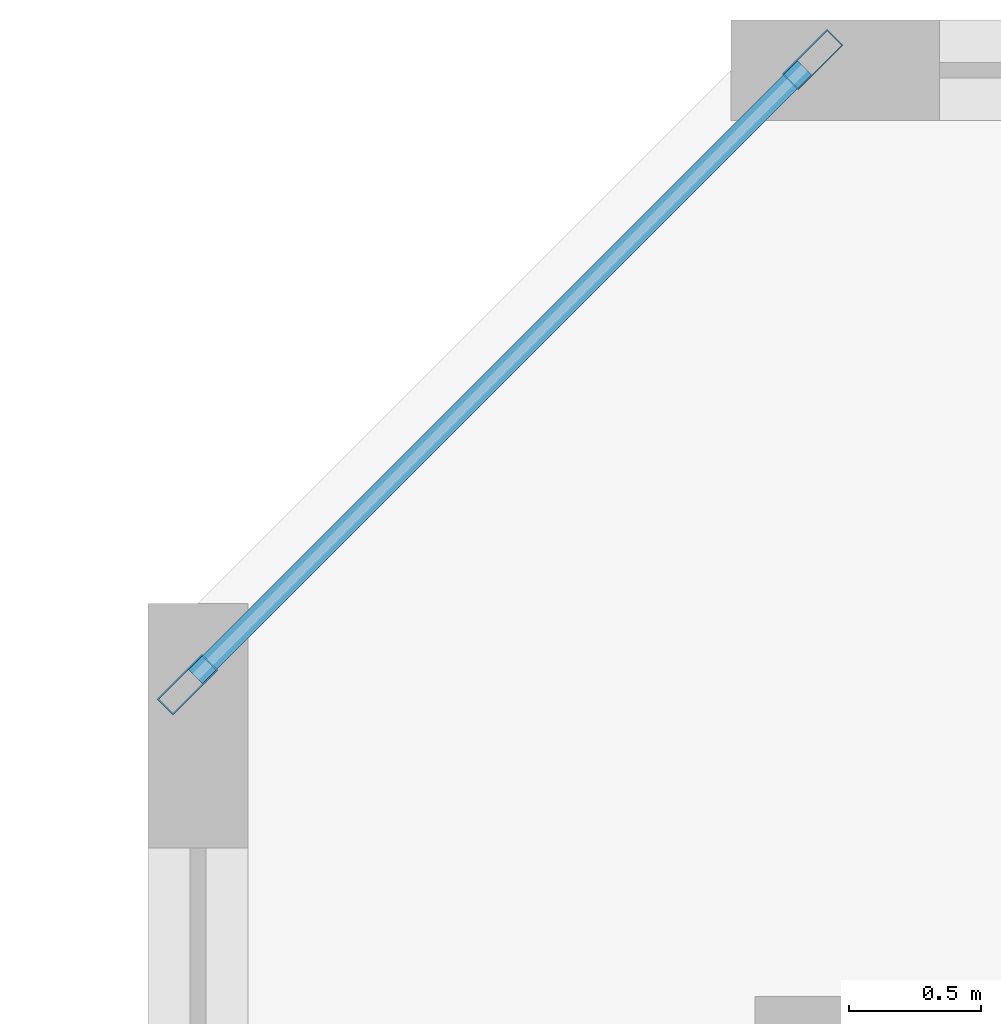
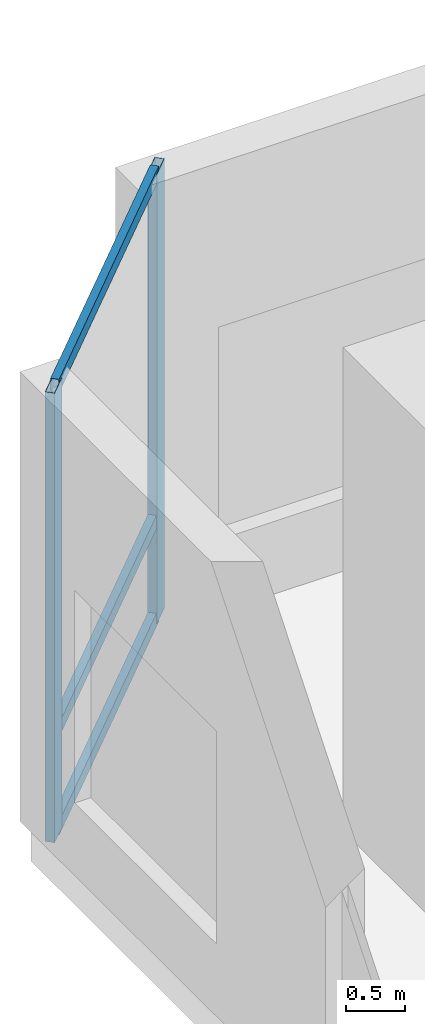
# One storey, part 4 of 19: 5 members, 1 element without a shape of its own.
"""IFC4 building model written with IfcOpenShell, lengths in metres."""

from ifc_helpers import new_model, si_unit, direction, frame, origin, origin_2d, place, context, subcontext, project, spatial, hollow_rectangle, extrude, material, layer, layer_set, material_profile, profile_set, type_object, element, aggregate, save


model = new_model("IFC4")

# Units and contexts
model_context = context("Model", 3, precision=1e-05, world=origin(), true_north=direction((0.0, 1.0)))
body_context = subcontext(model_context, "Body", "Model", "MODEL_VIEW")
ifc_project = project(units=[si_unit("LENGTHUNIT", "METRE"), si_unit("AREAUNIT", "SQUARE_METRE"), si_unit("VOLUMEUNIT", "CUBIC_METRE"), si_unit("PLANEANGLEUNIT", "RADIAN"), si_unit("MASSUNIT", "GRAM", prefix="KILO")], contexts=[model_context])

# Site, building, storey
site_placement = place(None, origin())
site = spatial("IfcSite", under=ifc_project, at=site_placement, CompositionType="ELEMENT")
building_placement = place(site_placement, origin())
building = spatial("IfcBuilding", under=site, at=building_placement, Name="Kestravale Grand Hotel", CompositionType="ELEMENT")
storey_placement = place(building_placement, frame((0.0, 0.0, 5.39990234375)))
storey = spatial("IfcBuildingStorey", under=building, at=storey_placement, Name="L01", CompositionType="ELEMENT", Elevation=5.39990234375)

# Curtain wall, members
ifc_material_1 = material(Name="Thermally broken champagne-bronze aluminium and low-E glazing", Category="aluminium")
ifc_layer = layer(ifc_material_1, 0.239990234375)
ifc_layer_set = layer_set([ifc_layer], Name="CW-POD")
curtain_wall_type = type_object("IfcCurtainWallType", Name="CW-POD", PredefinedType="NOTDEFINED", material=ifc_layer_set)
curtain_wall_placement = place(storey_placement, origin())
curtain_wall = element("IfcCurtainWall", 1, at=curtain_wall_placement, inside=storey, type_object=curtain_wall_type, Name="L01 unitised curtain wall 6", PredefinedType="NOTDEFINED")
ifc_material_2 = material(Name="Aluminium 6063-T6 anodised", Category="aluminium")
ifc_material_profile_1 = material_profile(ifc_material_2, hollow_rectangle(XDim=0.0849609375, YDim=0.239990234375, WallThickness=0.00439453125, at=origin_2d()))
ifc_profile_set_1 = profile_set([ifc_material_profile_1], Name="Aluminium 6063-T6 anodised")
member_type_1 = type_object("IfcMemberType", Name="CW-MUL-240", PredefinedType="MULLION", material=ifc_profile_set_1)
member_1_placement = place(storey_placement, frame((-0.4814453125, 51.44970703125, 0.0), z_axis=(0.0, 0.0, 1.0), x_axis=(0.707106781187, -0.707106781187, 0.0)))
member_1 = element("IfcMember", 2, at=member_1_placement, type_object=member_type_1, Name="CW-POD mullion 1", PredefinedType="MULLION", context=body_context, shape_type="SweptSolid", body=[
    extrude(hollow_rectangle(XDim=0.0849609375, YDim=0.239990234375, WallThickness=0.00439453125, at=origin_2d()), origin(), (0.0, 0.0, 1.0), 4.650146484375),
])
member_2_placement = place(storey_placement, frame((-2.849853515625, 49.08154296875, 0.0), z_axis=(0.0, 0.0, 1.0), x_axis=(0.707106781187, -0.707106781187, 0.0)))
member_2 = element("IfcMember", 3, at=member_2_placement, type_object=member_type_1, Name="CW-POD mullion 2", PredefinedType="MULLION", context=body_context, shape_type="SweptSolid", body=[
    extrude(hollow_rectangle(XDim=0.0849609375, YDim=0.239990234375, WallThickness=0.00439453125, at=origin_2d()), origin(), (0.0, 0.0, 1.0), 4.650146484375),
])
ifc_material_3 = material(Name="Aluminium 6063-T6 anodised", Category="aluminium")
ifc_material_profile_2 = material_profile(ifc_material_3, hollow_rectangle(XDim=0.074951171875, YDim=0.139892578125, WallThickness=0.00341796875, at=origin_2d()))
ifc_profile_set_2 = profile_set([ifc_material_profile_2], Name="Aluminium 6063-T6 anodised")
member_type_2 = type_object("IfcMemberType", Name="CW-TRN-140", PredefinedType="USERDEFINED", material=ifc_profile_set_2)
member_3_placement = place(storey_placement, frame((-0.51171875, 51.419677734375, 0.03759765625), z_axis=(-0.707069380992, -0.707144179403, 0.0), x_axis=(0.707144179403, -0.707069380992, 0.0)))
member_3 = element("IfcMember", 4, at=member_3_placement, type_object=member_type_2, Name="CW-POD transom 1.1", ObjectType="TRANSOM", PredefinedType="USERDEFINED", context=body_context, shape_type="SweptSolid", body=[
    extrude(hollow_rectangle(XDim=0.074951171875, YDim=0.139892578125, WallThickness=0.00341796875, at=origin_2d()), origin(), (0.0, 0.0, 1.0), 3.263916015625),
])
member_4_placement = place(storey_placement, frame((-0.51171875, 51.419677734375, 1.050048828125), z_axis=(-0.707069380992, -0.707144179403, 0.0), x_axis=(0.707144179403, -0.707069380992, 0.0)))
member_4 = element("IfcMember", 5, at=member_4_placement, type_object=member_type_2, Name="CW-POD transom 1.2", ObjectType="TRANSOM", PredefinedType="USERDEFINED", context=body_context, shape_type="SweptSolid", body=[
    extrude(hollow_rectangle(XDim=0.074951171875, YDim=0.139892578125, WallThickness=0.00341796875, at=origin_2d()), origin(), (0.0, 0.0, 1.0), 3.263916015625),
])
member_5_placement = place(storey_placement, frame((-0.51171875, 51.419677734375, 4.612548828125), z_axis=(-0.707069380992, -0.707144179403, 0.0), x_axis=(0.707144179403, -0.707069380992, 0.0)))
member_5 = element("IfcMember", 6, at=member_5_placement, type_object=member_type_2, Name="CW-POD transom 1.3", ObjectType="TRANSOM", PredefinedType="USERDEFINED", context=body_context, shape_type="SweptSolid", body=[
    extrude(hollow_rectangle(XDim=0.074951171875, YDim=0.139892578125, WallThickness=0.00341796875, at=origin_2d()), origin(), (0.0, 0.0, 1.0), 3.263916015625),
])
aggregate(curtain_wall, [member_1, member_2, member_3, member_4, member_5])

save(model, "model.ifc")
